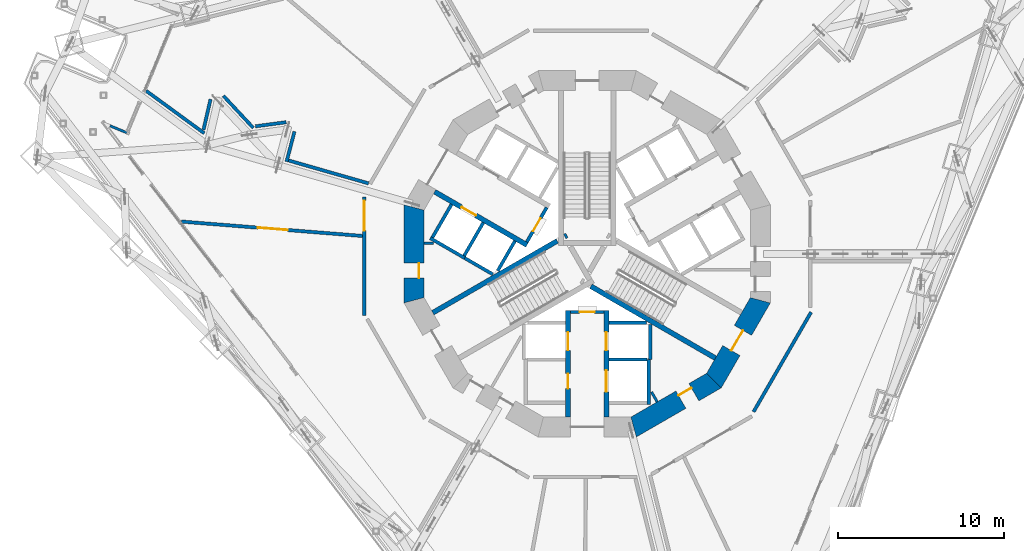
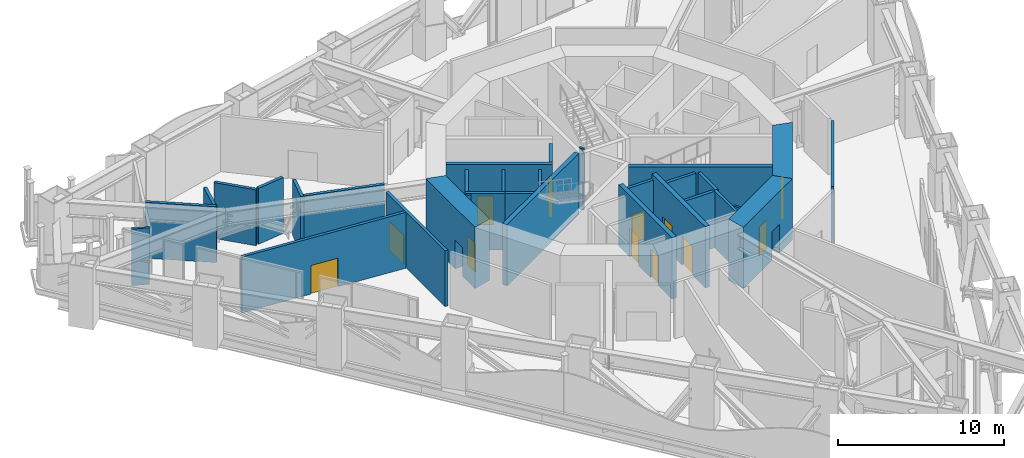
# One storey, part 18 of 31: 32 walls, 12 doors, 12 openings.
"""IFC4 building model written with IfcOpenShell, lengths in metres."""

from ifc_helpers import new_model, si_unit, direction, frame, frame_2d, origin, place, context, subcontext, project, spatial, polyline, rectangle, outline, extrude, material, layer, layer_set, type_object, element, fill, save


model = new_model("IFC4")

# Units and contexts
model_context = context("Model", 3, precision=1e-05, world=origin(), true_north=direction((0.0, 1.0)))
body_context = subcontext(model_context, "Body", "Model", "MODEL_VIEW")
ifc_project = project(units=[si_unit("LENGTHUNIT", "METRE"), si_unit("AREAUNIT", "SQUARE_METRE"), si_unit("VOLUMEUNIT", "CUBIC_METRE"), si_unit("PLANEANGLEUNIT", "RADIAN"), si_unit("MASSUNIT", "GRAM", prefix="KILO")], contexts=[model_context])

# Site, building, storey
site_placement = place(None, origin())
site = spatial("IfcSite", under=ifc_project, at=site_placement, CompositionType="ELEMENT")
building_placement = place(site_placement, origin())
building = spatial("IfcBuilding", under=site, at=building_placement, Name="Trine Commons Tower", CompositionType="ELEMENT")
storey_placement = place(building_placement, frame((0.0, 0.0, 82.800048828125)))
storey = spatial("IfcBuildingStorey", under=building, at=storey_placement, Name="L20", CompositionType="ELEMENT", Elevation=82.800048828125)

# Walls
ifc_material_1 = material(Name="Plasterboard partition on steel studs", Category="steel")
ifc_layer_1 = layer(ifc_material_1, 0.14990234375)
ifc_layer_set_1 = layer_set([ifc_layer_1], Name="Plasterboard partition on steel studs")
wall_type_1 = type_object("IfcWallType", Name="Core room partition 150 mm, EI 60", PredefinedType="PARTITIONING", material=ifc_layer_set_1)
wall_1_placement = place(storey_placement, frame((70.18798828125, 63.14208984375, 0.0), z_axis=(0.0, 0.0, 1.0), x_axis=(1.0, 0.0, 0.0)))
element("IfcWall", 1, at=wall_1_placement, inside=storey, type_object=wall_type_1, Name="Core room partition L20", PredefinedType="PARTITIONING", context=body_context, shape_type="SweptSolid", body=[
    extrude(rectangle(XDim=0.571044921875, YDim=0.14990234375, at=frame_2d((0.28564453125, 0.0))), origin(), (0.0, 0.0, 1.0), 4.14990234375),
])
wall_2_placement = place(storey_placement, frame((84.2099609375, 53.60205078125, 0.0), z_axis=(0.0, 0.0, 1.0), x_axis=(-0.500366091518, 0.865813937552, 0.0)))
element("IfcWall", 2, at=wall_2_placement, inside=storey, type_object=wall_type_1, Name="Core room partition L20", PredefinedType="PARTITIONING", context=body_context, shape_type="SweptSolid", body=[
    extrude(rectangle(XDim=0.689453125, YDim=0.14990234375, at=frame_2d((0.3447265625, 0.0))), origin(), (0.0, 0.0, 1.0), 4.14990234375),
])
ifc_material_2 = material(Name="Plasterboard on steel stud", Category="steel")
ifc_layer_2 = layer(ifc_material_2, 0.199951171875)
ifc_layer_set_2 = layer_set([ifc_layer_2], Name="Plasterboard on steel stud")
wall_type_2 = type_object("IfcWallType", Name="Fire wall 200 mm, EI 120", PredefinedType="PARTITIONING", material=ifc_layer_set_2)
wall_3_placement = place(storey_placement, frame((53.4814453125, 72.30322265625, 0.0), z_axis=(0.0, 0.0, 1.0), x_axis=(0.807438668691, -0.589951520298, 0.0)))
element("IfcWall", 3, at=wall_3_placement, inside=storey, type_object=wall_type_2, Name="Partition M20001", PredefinedType="PARTITIONING", context=body_context, shape_type="SweptSolid", body=[
    extrude(rectangle(XDim=4.327392578125, YDim=0.199951171875, at=frame_2d((2.16357421875, 0.0))), origin(), (0.0, 0.0, 1.0), 4.099853515625),
])

# Wall, opening, door
wall_4_placement = place(storey_placement, frame((55.597900390625, 64.44287109375, 0.0), z_axis=(0.0, 0.0, 1.0), x_axis=(0.996845427673, -0.079367457607, 0.0)))
wall_4 = element("IfcWall", 4, at=wall_4_placement, inside=storey, type_object=wall_type_2, Name="Partition M20003", PredefinedType="PARTITIONING", context=body_context, shape_type="SweptSolid", body=[
    extrude(rectangle(XDim=10.9169921875, YDim=0.199951171875, at=frame_2d((5.45849609375, 0.0))), origin(), (0.0, 0.0, 1.0), 4.099853515625),
])
opening_1_placement = place(wall_4_placement, frame((4.612548828125, 0.0, 0.0)))
opening_1 = element("IfcOpeningElement", 5, at=opening_1_placement, cuts=wall_4, Name="Opening D-M2001", PredefinedType="OPENING", context=body_context, shape_type="SweptSolid", body=[
    extrude(rectangle(XDim=1.800048828125, YDim=2.10009765625, at=frame_2d((0.89990234375, 1.050048828125))), frame((0.0, 0.10986328125, 0.0), z_axis=(0.0, -1.0, 0.0), x_axis=(1.0, 0.0, 0.0)), (0.0, 0.0, 1.0), 0.219970703125),
])
ifc_material_3 = material(Name="Timber fire door set", Category="wood")
door_type_1 = type_object("IfcDoorType", Name="Double swing door 1800x2100, FD60", OperationType="DOUBLE_DOOR_DOUBLE_SWING", PredefinedType="DOOR", material=ifc_material_3)
door_1_placement = place(opening_1_placement, origin())
door_1 = element("IfcDoor", 6, at=door_1_placement, inside=storey, type_object=door_type_1, Name="Door D-M2001", OperationType="DOUBLE_DOOR_DOUBLE_SWING", OverallHeight=2.10009765625, OverallWidth=1.800048828125, PredefinedType="DOOR", context=body_context, shape_type="SweptSolid", body=[
    extrude(rectangle(XDim=1.800048828125, YDim=2.10009765625, at=frame_2d((0.89990234375, 1.050048828125))), frame((0.0, 0.02490234375, 0.0), z_axis=(0.0, -1.0, 0.0), x_axis=(1.0, 0.0, 0.0)), (0.0, 0.0, 1.0), 0.050048828125),
])
fill(opening_1, door_1)

# Walls
wall_5_placement = place(storey_placement, frame((56.9287109375, 69.95703125, 0.0), z_axis=(0.0, 0.0, 1.0), x_axis=(0.224237196208, 0.974534596531, 0.0)))
element("IfcWall", 7, at=wall_5_placement, inside=storey, type_object=wall_type_2, Name="Partition M20004", PredefinedType="PARTITIONING", context=body_context, shape_type="SweptSolid", body=[
    extrude(rectangle(XDim=1.89111328125, YDim=0.199951171875, at=frame_2d((0.945556640625, 0.0))), origin(), (0.0, 0.0, 1.0), 4.099853515625),
])
wall_6_placement = place(storey_placement, frame((58.118896484375, 72.0078125, 0.0), z_axis=(0.0, 0.0, 1.0), x_axis=(0.682472446171, -0.730911321719, 0.0)))
element("IfcWall", 8, at=wall_6_placement, inside=storey, type_object=wall_type_2, Name="Partition M20005", PredefinedType="PARTITIONING", context=body_context, shape_type="SweptSolid", body=[
    extrude(rectangle(XDim=2.651123046875, YDim=0.199951171875, at=frame_2d((1.32568359375, 0.0))), origin(), (0.0, 0.0, 1.0), 4.099853515625),
])
wall_7_placement = place(storey_placement, frame((60.052001953125, 70.1689453125, 0.0), z_axis=(0.0, 0.0, 1.0), x_axis=(0.991147832733, 0.13276284747, 0.0)))
element("IfcWall", 9, at=wall_7_placement, inside=storey, type_object=wall_type_2, Name="Partition M20006", PredefinedType="PARTITIONING", context=body_context, shape_type="SweptSolid", body=[
    extrude(rectangle(XDim=1.868408203125, YDim=0.199951171875, at=frame_2d((0.93408203125, 0.0))), origin(), (0.0, 0.0, 1.0), 4.099853515625),
])
wall_8_placement = place(storey_placement, frame((61.92333984375, 68.047607421875, 0.0), z_axis=(0.0, 0.0, 1.0), x_axis=(0.254281259099, 0.967130312456, 0.0)))
element("IfcWall", 10, at=wall_8_placement, inside=storey, type_object=wall_type_2, Name="Partition M20008", PredefinedType="PARTITIONING", context=body_context, shape_type="SweptSolid", body=[
    extrude(rectangle(XDim=1.870361328125, YDim=0.199951171875, at=frame_2d((0.93505859375, 0.0))), origin(), (0.0, 0.0, 1.0), 4.099853515625),
])
wall_9_placement = place(storey_placement, frame((62.046875, 68.115966796875, 0.0), z_axis=(0.0, 0.0, 1.0), x_axis=(0.961267337315, -0.275617681239, 0.0)))
element("IfcWall", 11, at=wall_9_placement, inside=storey, type_object=wall_type_2, Name="Partition M20009", PredefinedType="PARTITIONING", context=body_context, shape_type="SweptSolid", body=[
    extrude(rectangle(XDim=4.99853515625, YDim=0.199951171875, at=frame_2d((2.499267578125, 0.0))), origin(), (0.0, 0.0, 1.0), 4.099853515625),
])

# Wall, opening, door
wall_10_placement = place(storey_placement, frame((66.58837890625, 65.9296875, 0.0), z_axis=(0.0, 0.0, 1.0), x_axis=(0.0, -1.0, 0.0)))
wall_10 = element("IfcWall", 12, at=wall_10_placement, inside=storey, type_object=wall_type_2, Name="Partition M20010", PredefinedType="PARTITIONING", context=body_context, shape_type="SweptSolid", body=[
    extrude(rectangle(XDim=7.123291015625, YDim=0.199951171875, at=frame_2d((3.5615234375, 0.0))), origin(), (0.0, 0.0, 1.0), 4.099853515625),
])
opening_2_placement = place(wall_10_placement, frame((0.228759765625, 0.0, 0.0)))
opening_2 = element("IfcOpeningElement", 13, at=opening_2_placement, cuts=wall_10, Name="Opening D-M2003", PredefinedType="OPENING", context=body_context, shape_type="SweptSolid", body=[
    extrude(rectangle(XDim=1.800048828125, YDim=2.10009765625, at=frame_2d((0.89990234375, 1.050048828125))), frame((0.0, 0.10986328125, 0.0), z_axis=(0.0, -1.0, 0.0), x_axis=(1.0, 0.0, 0.0)), (0.0, 0.0, 1.0), 0.219970703125),
])
door_2_placement = place(opening_2_placement, origin())
door_2 = element("IfcDoor", 14, at=door_2_placement, inside=storey, type_object=door_type_1, Name="Door D-M2003", OperationType="DOUBLE_DOOR_DOUBLE_SWING", OverallHeight=2.10009765625, OverallWidth=1.800048828125, PredefinedType="DOOR", context=body_context, shape_type="SweptSolid", body=[
    extrude(rectangle(XDim=1.800048828125, YDim=2.10009765625, at=frame_2d((0.89990234375, 1.050048828125))), frame((0.0, 0.02490234375, 0.0), z_axis=(0.0, -1.0, 0.0), x_axis=(1.0, 0.0, 0.0)), (0.0, 0.0, 1.0), 0.050048828125),
])
fill(opening_2, door_2)

# Walls
wall_11_placement = place(storey_placement, frame((90.004638671875, 53.00537109375, 0.0), z_axis=(0.0, 0.0, 1.0), x_axis=(0.500012835235, 0.866017993231, 0.0)))
element("IfcWall", 15, at=wall_11_placement, inside=storey, type_object=wall_type_2, Name="Partition M20039", PredefinedType="PARTITIONING", context=body_context, shape_type="SweptSolid", body=[
    extrude(rectangle(XDim=6.913818359375, YDim=0.199951171875, at=frame_2d((3.45703125, 0.0))), origin(), (0.0, 0.0, 1.0), 4.099853515625),
])
ifc_material_4 = material(Name="Aluminium-framed insulated wall panel", Category="aluminium")
ifc_layer_3 = layer(ifc_material_4, 0.14990234375)
ifc_layer_set_3 = layer_set([ifc_layer_3], Name="Aluminium-framed insulated wall panel")
wall_type_3 = type_object("IfcWallType", Name="Glazed frame wall 150, EI 60", PredefinedType="SOLIDWALL", material=ifc_layer_set_3)
wall_12_placement = place(storey_placement, frame((51.175537109375, 70.256103515625, 0.0), z_axis=(0.0, 0.0, 1.0), x_axis=(0.923901801611, -0.382629665579, 0.0)))
element("IfcWall", 16, at=wall_12_placement, inside=storey, type_object=wall_type_3, Name="Glazed frame wall L20 R1", PredefinedType="SOLIDWALL", context=body_context, shape_type="SweptSolid", body=[
    extrude(outline(polyline([(0.1494140625, 0.074951171875), (0.1494140625, -0.074951171875), (1.235107421875, -0.074951171875), (1.235107421875, 0.074951171875), (0.1494140625, 0.074951171875)])), origin(), (0.0, 0.0, 1.0), 4.14990234375),
])

# Wall, opening, door
ifc_material_5 = material(Name="Fire-rated gypsum shaft wall system")
ifc_layer_4 = layer(ifc_material_5, 0.199951171875)
ifc_layer_set_4 = layer_set([ifc_layer_4], Name="Fire-rated gypsum shaft wall system")
wall_type_4 = type_object("IfcWallType", Name="Lobby end wall 200 mm, EI 120", PredefinedType="PARTITIONING", material=ifc_layer_set_4)
wall_13_placement = place(storey_placement, frame((77.569091796875, 65.2890625, 0.0), z_axis=(0.0, 0.0, 1.0), x_axis=(-0.50012165622, -0.865955154139, 0.0)))
wall_13 = element("IfcWall", 17, at=wall_13_placement, inside=storey, type_object=wall_type_4, Name="Lobby end wall L20", PredefinedType="PARTITIONING", context=body_context, shape_type="SweptSolid", body=[
    extrude(rectangle(XDim=2.39990234375, YDim=0.199951171875, at=frame_2d((1.199951171875, 0.0))), origin(), (0.0, 0.0, 1.0), 4.14990234375),
])
opening_3_placement = place(wall_13_placement, frame((0.749755859375, 0.0, 0.0)))
opening_3 = element("IfcOpeningElement", 18, at=opening_3_placement, cuts=wall_13, Name="Opening K08.07", PredefinedType="OPENING", context=body_context, shape_type="SweptSolid", body=[
    extrude(rectangle(XDim=0.89990234375, YDim=2.10009765625, at=frame_2d((0.449951171875, 1.050048828125))), frame((0.0, 0.10986328125, 0.0), z_axis=(0.0, -1.0, 0.0), x_axis=(1.0, 0.0, 0.0)), (0.0, 0.0, 1.0), 0.219970703125),
])
ifc_material_6 = material(Name="Steel door leaf, fire-rated", Category="steel")
door_type_2 = type_object("IfcDoorType", Name="Riser access door, single leaf 900 x 2100, FD60", OperationType="SINGLE_SWING_LEFT", PredefinedType="DOOR", material=ifc_material_6)
door_3_placement = place(opening_3_placement, frame((0.89990234375, 0.0, 0.0), z_axis=(0.0, 0.0, 1.0), x_axis=(-1.0, 0.0, 0.0)))
door_3 = element("IfcDoor", 19, at=door_3_placement, inside=storey, type_object=door_type_2, Name="Riser door, Mechanical riser L20", OperationType="SINGLE_SWING_RIGHT", OverallHeight=2.10009765625, OverallWidth=0.89990234375, PredefinedType="DOOR", context=body_context, shape_type="SweptSolid", body=[
    extrude(rectangle(XDim=0.89990234375, YDim=2.10009765625, at=frame_2d((0.449951171875, 1.050048828125))), frame((0.0, 0.02490234375, 0.0), z_axis=(0.0, -1.0, 0.0), x_axis=(1.0, 0.0, 0.0)), (0.0, 0.0, 1.0), 0.050048828125),
])
fill(opening_3, door_3)

wall_14_placement = place(storey_placement, frame((79.0, 59.0, 0.0), z_axis=(0.0, 0.0, 1.0), x_axis=(1.0, 0.0, 0.0)))
wall_14 = element("IfcWall", 20, at=wall_14_placement, inside=storey, type_object=wall_type_4, Name="Lobby end wall L20", PredefinedType="PARTITIONING", context=body_context, shape_type="SweptSolid", body=[
    extrude(rectangle(XDim=2.0, YDim=0.199951171875, at=frame_2d((1.0, 0.0))), origin(), (0.0, 0.0, 1.0), 4.14990234375),
])
opening_4_placement = place(wall_14_placement, frame((0.550048828125, 0.0, 0.0)))
opening_4 = element("IfcOpeningElement", 21, at=opening_4_placement, cuts=wall_14, Name="Opening K08.09", PredefinedType="OPENING", context=body_context, shape_type="SweptSolid", body=[
    extrude(rectangle(XDim=0.89990234375, YDim=2.10009765625, at=frame_2d((0.449951171875, 1.050048828125))), frame((0.0, 0.10986328125, 0.0), z_axis=(0.0, -1.0, 0.0), x_axis=(1.0, 0.0, 0.0)), (0.0, 0.0, 1.0), 0.219970703125),
])
door_4_placement = place(opening_4_placement, frame((0.89990234375, 0.0, 0.0), z_axis=(0.0, 0.0, 1.0), x_axis=(-1.0, 0.0, 0.0)))
door_4 = element("IfcDoor", 22, at=door_4_placement, inside=storey, type_object=door_type_2, Name="Riser door, Communications riser L20", OperationType="SINGLE_SWING_RIGHT", OverallHeight=2.10009765625, OverallWidth=0.89990234375, PredefinedType="DOOR", context=body_context, shape_type="SweptSolid", body=[
    extrude(rectangle(XDim=0.89990234375, YDim=2.10009765625, at=frame_2d((0.449951171875, 1.050048828125))), frame((0.0, 0.02490234375, 0.0), z_axis=(0.0, -1.0, 0.0), x_axis=(1.0, 0.0, 0.0)), (0.0, 0.0, 1.0), 0.050048828125),
])
fill(opening_4, door_4)

ifc_material_7 = material(Name="Concrete C70/85", Category="concrete")
ifc_layer_5 = layer(ifc_material_7, 1.199951171875)
ifc_layer_set_5 = layer_set([ifc_layer_5], Name="Concrete C70/85")
wall_type_5 = type_object("IfcWallType", Name="RC shear wall 1200 mm, C70/85", PredefinedType="SHEAR", material=ifc_layer_set_5)
wall_15_placement = place(storey_placement, frame((69.58837890625, 65.450439453125, 0.0), z_axis=(0.0, 0.0, 1.0), x_axis=(0.0, -1.0, 0.0)))
wall_15 = element("IfcWall", 23, at=wall_15_placement, inside=storey, type_object=wall_type_5, Name="Core wall CWC-07 L20", PredefinedType="SHEAR", context=body_context, shape_type="SweptSolid", body=[
    extrude(outline(polyline([(0.0, -0.60009765625), (5.90087890625, -0.60009765625), (5.57958984375, 0.60009765625), (0.321533203125, 0.60009765625), (0.0, -0.60009765625)])), origin(), (0.0, 0.0, 1.0), 4.5),
])
opening_5_placement = place(wall_15_placement, frame((3.508544921875, 0.0, 0.0)))
opening_5 = element("IfcOpeningElement", 24, at=opening_5_placement, cuts=wall_15, Name="Opening K08.14", PredefinedType="OPENING", context=body_context, shape_type="SweptSolid", body=[
    extrude(rectangle(XDim=0.89990234375, YDim=2.10009765625, at=frame_2d((0.449951171875, 1.050048828125))), frame((0.0, 0.60986328125, 0.0), z_axis=(0.0, -1.0, 0.0), x_axis=(1.0, 0.0, 0.0)), (0.0, 0.0, 1.0), 1.219970703125),
])
door_type_3 = type_object("IfcDoorType", Name="Core room door, single leaf 900 x 2100, FD30S", OperationType="SINGLE_SWING_LEFT", PredefinedType="DOOR", material=ifc_material_6)
door_5_placement = place(opening_5_placement, origin())
door_5 = element("IfcDoor", 25, at=door_5_placement, inside=storey, type_object=door_type_3, Name="Door to Electrical room L20", OperationType="SINGLE_SWING_RIGHT", OverallHeight=2.10009765625, OverallWidth=0.89990234375, PredefinedType="DOOR", context=body_context, shape_type="SweptSolid", body=[
    extrude(rectangle(XDim=0.89990234375, YDim=2.10009765625, at=frame_2d((0.449951171875, 1.050048828125))), frame((0.0, 0.3251953125, 0.0), z_axis=(0.0, -1.0, 0.0), x_axis=(1.0, 0.0, 0.0)), (0.0, 0.0, 1.0), 0.050048828125),
])
fill(opening_5, door_5)

wall_16_placement = place(storey_placement, frame((82.650390625, 52.008056640625, 0.0), z_axis=(0.0, 0.0, 1.0), x_axis=(0.866037463336, 0.499979111662, 0.0)))
wall_16 = element("IfcWall", 26, at=wall_16_placement, inside=storey, type_object=wall_type_5, Name="Core wall CWC-11 L20", PredefinedType="SHEAR", context=body_context, shape_type="SweptSolid", body=[
    extrude(outline(polyline([(0.0, -0.60009765625), (5.901123046875, -0.60009765625), (5.57958984375, 0.60009765625), (0.321533203125, 0.60009765625), (0.0, -0.60009765625)])), origin(), (0.0, 0.0, 1.0), 4.5),
])
opening_6_placement = place(wall_16_placement, frame((3.44677734375, 0.0, 0.0)))
opening_6 = element("IfcOpeningElement", 27, at=opening_6_placement, cuts=wall_16, Name="Opening K08.17", PredefinedType="OPENING", context=body_context, shape_type="SweptSolid", body=[
    extrude(rectangle(XDim=0.89990234375, YDim=2.10009765625, at=frame_2d((0.449951171875, 1.050048828125))), frame((0.0, 0.60986328125, 0.0), z_axis=(0.0, -1.0, 0.0), x_axis=(1.0, 0.0, 0.0)), (0.0, 0.0, 1.0), 1.219970703125),
])
door_6_placement = place(opening_6_placement, origin())
door_6 = element("IfcDoor", 28, at=door_6_placement, inside=storey, type_object=door_type_3, Name="Door to Plant room L20", OperationType="SINGLE_SWING_RIGHT", OverallHeight=2.10009765625, OverallWidth=0.89990234375, PredefinedType="DOOR", context=body_context, shape_type="SweptSolid", body=[
    extrude(rectangle(XDim=0.89990234375, YDim=2.10009765625, at=frame_2d((0.449951171875, 1.050048828125))), frame((0.0, 0.3251953125, 0.0), z_axis=(0.0, -1.0, 0.0), x_axis=(1.0, 0.0, 0.0)), (0.0, 0.0, 1.0), 0.050048828125),
])
fill(opening_6, door_6)

wall_17_placement = place(storey_placement, frame((87.54150390625, 54.739013671875, 0.0), z_axis=(0.0, 0.0, 1.0), x_axis=(0.499979111662, 0.866037463336, 0.0)))
wall_17 = element("IfcWall", 29, at=wall_17_placement, inside=storey, type_object=wall_type_5, Name="Core wall CWC-12 L20", PredefinedType="SHEAR", context=body_context, shape_type="SweptSolid", body=[
    extrude(outline(polyline([(0.0, -0.60009765625), (5.901123046875, -0.60009765625), (5.57958984375, 0.60009765625), (0.321533203125, 0.60009765625), (0.0, -0.60009765625)])), origin(), (0.0, 0.0, 1.0), 4.5),
])
opening_7_placement = place(wall_17_placement, frame((2.25048828125, 0.0, 0.0)))
opening_7 = element("IfcOpeningElement", 30, at=opening_7_placement, cuts=wall_17, Name="Opening K08.03", PredefinedType="OPENING", context=body_context, shape_type="SweptSolid", body=[
    extrude(rectangle(XDim=1.39990234375, YDim=2.10009765625, at=frame_2d((0.699951171875, 1.050048828125))), frame((0.0, 0.60986328125, 0.0), z_axis=(0.0, -1.0, 0.0), x_axis=(1.0, 0.0, 0.0)), (0.0, 0.0, 1.0), 1.219970703125),
])
ifc_material_8 = material(Name="Steel door leaves, fire-rated", Category="steel")
door_type_4 = type_object("IfcDoorType", Name="Stair door, double leaf 1400 x 2100, FD90", OperationType="DOUBLE_DOOR_SINGLE_SWING", PredefinedType="DOOR", material=ifc_material_8)
door_7_placement = place(opening_7_placement, origin())
door_7 = element("IfcDoor", 31, at=door_7_placement, inside=storey, type_object=door_type_4, Name="Stair door to Exit stair ST3A L20", OperationType="DOUBLE_DOOR_SINGLE_SWING", OverallHeight=2.10009765625, OverallWidth=1.39990234375, PredefinedType="DOOR", context=body_context, shape_type="SweptSolid", body=[
    extrude(rectangle(XDim=1.39990234375, YDim=2.10009765625, at=frame_2d((0.699951171875, 1.050048828125))), frame((0.0, 0.02490234375, 0.0), z_axis=(0.0, -1.0, 0.0), x_axis=(1.0, 0.0, 0.0)), (0.0, 0.0, 1.0), 0.050048828125),
])
fill(opening_7, door_7)

ifc_layer_6 = layer(ifc_material_7, 0.300048828125)
ifc_layer_set_6 = layer_set([ifc_layer_6], Name="Concrete C70/85")
wall_type_6 = type_object("IfcWallType", Name="RC shear wall 300 mm, C70/85", PredefinedType="SHEAR", material=ifc_layer_set_6)
wall_18_placement = place(storey_placement, frame((76.381103515625, 63.031005859375, 0.0), z_axis=(0.0, 0.0, 1.0), x_axis=(-0.866032150378, 0.499988314375, 0.0)))
wall_18 = element("IfcWall", 32, at=wall_18_placement, inside=storey, type_object=wall_type_6, Name="Core cross wall SWA-01 L20", PredefinedType="SHEAR", context=body_context, shape_type="SweptSolid", body=[
    extrude(rectangle(XDim=6.412353515625, YDim=0.300048828125, at=frame_2d((3.2060546875, 0.0))), origin(), (0.0, 0.0, 1.0), 4.5),
])
opening_8_placement = place(wall_18_placement, frame((3.55029296875, 0.0, 0.0)))
opening_8 = element("IfcOpeningElement", 33, at=opening_8_placement, cuts=wall_18, Name="Opening LD3", PredefinedType="OPENING", context=body_context, shape_type="SweptSolid", body=[
    extrude(rectangle(XDim=1.0, YDim=2.10009765625, at=frame_2d((0.5, 1.050048828125))), frame((0.0, 0.159912109375, 0.0), z_axis=(0.0, -1.0, 0.0), x_axis=(1.0, 0.0, 0.0)), (0.0, 0.0, 1.0), 0.320068359375),
])
ifc_material_9 = material(Name="Stainless steel sliding door leaves", Category="steel")
door_type_5 = type_object("IfcDoorType", Name="Lift landing door, centre-opening sliding 1000 x 2100, FD90", OperationType="DOUBLE_DOOR_SLIDING", PredefinedType="DOOR", material=ifc_material_9)
door_8_placement = place(opening_8_placement, origin())
door_8 = element("IfcDoor", 34, at=door_8_placement, inside=storey, type_object=door_type_5, Name="Lift landing door LR3 L20", OperationType="DOUBLE_DOOR_SLIDING", OverallHeight=2.10009765625, OverallWidth=1.0, PredefinedType="DOOR", context=body_context, shape_type="SweptSolid", body=[
    extrude(rectangle(XDim=1.0, YDim=2.10009765625, at=frame_2d((0.5, 1.050048828125))), frame((0.0, 0.02490234375, 0.0), z_axis=(0.0, -1.0, 0.0), x_axis=(1.0, 0.0, 0.0)), (0.0, 0.0, 1.0), 0.050048828125),
])
fill(opening_8, door_8)

# Wall, openings, doors
wall_19_placement = place(storey_placement, frame((78.85009765625, 59.10009765625, 0.0), z_axis=(0.0, 0.0, 1.0), x_axis=(0.0, -1.0, 0.0)))
wall_19 = element("IfcWall", 35, at=wall_19_placement, inside=storey, type_object=wall_type_6, Name="Core cross wall SWA-03 L20", PredefinedType="SHEAR", context=body_context, shape_type="SweptSolid", body=[
    extrude(rectangle(XDim=6.412109375, YDim=0.300048828125, at=frame_2d((3.2060546875, 0.0))), origin(), (0.0, 0.0, 1.0), 4.5),
])
opening_9_placement = place(wall_19_placement, frame((3.800048828125, 0.0, 0.0)))
opening_9 = element("IfcOpeningElement", 36, at=opening_9_placement, cuts=wall_19, Name="Opening K08.10", PredefinedType="OPENING", context=body_context, shape_type="SweptSolid", body=[
    extrude(rectangle(XDim=0.89990234375, YDim=2.10009765625, at=frame_2d((0.449951171875, 1.050048828125))), frame((0.0, 0.159912109375, 0.0), z_axis=(0.0, -1.0, 0.0), x_axis=(1.0, 0.0, 0.0)), (0.0, 0.0, 1.0), 0.320068359375),
])
opening_10_placement = place(wall_19_placement, frame((1.300048828125, 0.0, 0.0)))
opening_10 = element("IfcOpeningElement", 37, at=opening_10_placement, cuts=wall_19, Name="Opening LD10", PredefinedType="OPENING", context=body_context, shape_type="SweptSolid", body=[
    extrude(rectangle(XDim=1.10009765625, YDim=2.10009765625, at=frame_2d((0.550048828125, 1.050048828125))), frame((0.0, 0.159912109375, 0.0), z_axis=(0.0, -1.0, 0.0), x_axis=(1.0, 0.0, 0.0)), (0.0, 0.0, 1.0), 0.320068359375),
])
door_9_placement = place(opening_9_placement, frame((0.89990234375, 0.0, 0.0), z_axis=(0.0, 0.0, 1.0), x_axis=(-1.0, 0.0, 0.0)))
door_9 = element("IfcDoor", 38, at=door_9_placement, inside=storey, type_object=door_type_3, Name="Door to Store L20", OperationType="SINGLE_SWING_RIGHT", OverallHeight=2.10009765625, OverallWidth=0.89990234375, PredefinedType="DOOR", context=body_context, shape_type="SweptSolid", body=[
    extrude(rectangle(XDim=0.89990234375, YDim=2.10009765625, at=frame_2d((0.449951171875, 1.050048828125))), frame((0.0, 0.02490234375, 0.0), z_axis=(0.0, -1.0, 0.0), x_axis=(1.0, 0.0, 0.0)), (0.0, 0.0, 1.0), 0.050048828125),
])
fill(opening_9, door_9)
door_type_6 = type_object("IfcDoorType", Name="Lift landing door, centre-opening sliding 1100 x 2100, FD90", OperationType="DOUBLE_DOOR_SLIDING", PredefinedType="DOOR", material=ifc_material_9)
door_10_placement = place(opening_10_placement, origin())
door_10 = element("IfcDoor", 39, at=door_10_placement, inside=storey, type_object=door_type_6, Name="Lift landing door FF2 L20", OperationType="DOUBLE_DOOR_SLIDING", OverallHeight=2.10009765625, OverallWidth=1.10009765625, PredefinedType="DOOR", context=body_context, shape_type="SweptSolid", body=[
    extrude(rectangle(XDim=1.10009765625, YDim=2.10009765625, at=frame_2d((0.550048828125, 1.050048828125))), frame((0.0, 0.02490234375, 0.0), z_axis=(0.0, -1.0, 0.0), x_axis=(1.0, 0.0, 0.0)), (0.0, 0.0, 1.0), 0.050048828125),
])
fill(opening_10, door_10)

wall_20_placement = place(storey_placement, frame((81.14990234375, 59.10009765625, 0.0), z_axis=(0.0, 0.0, 1.0), x_axis=(0.0, -1.0, 0.0)))
wall_20 = element("IfcWall", 40, at=wall_20_placement, inside=storey, type_object=wall_type_6, Name="Core cross wall SWA-04 L20", PredefinedType="SHEAR", context=body_context, shape_type="SweptSolid", body=[
    extrude(rectangle(XDim=6.412109375, YDim=0.300048828125, at=frame_2d((3.2060546875, 0.0))), origin(), (0.0, 0.0, 1.0), 4.5),
])
opening_11_placement = place(wall_20_placement, frame((3.60009765625, 0.0, 0.0)))
opening_11 = element("IfcOpeningElement", 41, at=opening_11_placement, cuts=wall_20, Name="Opening LD11", PredefinedType="OPENING", context=body_context, shape_type="SweptSolid", body=[
    extrude(rectangle(XDim=1.300048828125, YDim=2.10009765625, at=frame_2d((0.64990234375, 1.050048828125))), frame((0.0, 0.159912109375, 0.0), z_axis=(0.0, -1.0, 0.0), x_axis=(1.0, 0.0, 0.0)), (0.0, 0.0, 1.0), 0.320068359375),
])
opening_12_placement = place(wall_20_placement, frame((1.300048828125, 0.0, 0.0)))
opening_12 = element("IfcOpeningElement", 42, at=opening_12_placement, cuts=wall_20, Name="Opening LD9", PredefinedType="OPENING", context=body_context, shape_type="SweptSolid", body=[
    extrude(rectangle(XDim=1.10009765625, YDim=2.10009765625, at=frame_2d((0.550048828125, 1.050048828125))), frame((0.0, 0.159912109375, 0.0), z_axis=(0.0, -1.0, 0.0), x_axis=(1.0, 0.0, 0.0)), (0.0, 0.0, 1.0), 0.320068359375),
])
door_11_placement = place(opening_12_placement, origin())
door_11 = element("IfcDoor", 43, at=door_11_placement, inside=storey, type_object=door_type_6, Name="Lift landing door FF1 L20", OperationType="DOUBLE_DOOR_SLIDING", OverallHeight=2.10009765625, OverallWidth=1.10009765625, PredefinedType="DOOR", context=body_context, shape_type="SweptSolid", body=[
    extrude(rectangle(XDim=1.10009765625, YDim=2.10009765625, at=frame_2d((0.550048828125, 1.050048828125))), frame((0.0, 0.02490234375, 0.0), z_axis=(0.0, -1.0, 0.0), x_axis=(1.0, 0.0, 0.0)), (0.0, 0.0, 1.0), 0.050048828125),
])
fill(opening_12, door_11)
door_type_7 = type_object("IfcDoorType", Name="Lift landing door, centre-opening sliding 1300 x 2100, FD90", OperationType="DOUBLE_DOOR_SLIDING", PredefinedType="DOOR", material=ifc_material_9)
door_12_placement = place(opening_11_placement, origin())
door_12 = element("IfcDoor", 44, at=door_12_placement, inside=storey, type_object=door_type_7, Name="Lift landing door G1 L20", OperationType="DOUBLE_DOOR_SLIDING", OverallHeight=2.10009765625, OverallWidth=1.300048828125, PredefinedType="DOOR", context=body_context, shape_type="SweptSolid", body=[
    extrude(rectangle(XDim=1.300048828125, YDim=2.10009765625, at=frame_2d((0.64990234375, 1.050048828125))), frame((0.0, 0.02490234375, 0.0), z_axis=(0.0, -1.0, 0.0), x_axis=(1.0, 0.0, 0.0)), (0.0, 0.0, 1.0), 0.050048828125),
])
fill(opening_11, door_12)

# Walls
wall_21_placement = place(storey_placement, frame((78.199951171875, 63.280029296875, 0.0), z_axis=(0.0, 0.0, 1.0), x_axis=(-0.865965399159, -0.500103916661, 0.0)))
element("IfcWall", 45, at=wall_21_placement, inside=storey, type_object=wall_type_6, Name="Core cross wall SWA-07 L20", PredefinedType="SHEAR", context=body_context, shape_type="SweptSolid", body=[
    extrude(rectangle(XDim=8.642333984375, YDim=0.300048828125, at=frame_2d((4.3212890625, 0.0))), origin(), (0.0, 0.0, 1.0), 4.5),
])
wall_22_placement = place(storey_placement, frame((78.779052734375, 63.614013671875, 0.0), z_axis=(0.0, 0.0, 1.0), x_axis=(-0.867737973955, -0.497021939713, 0.0)))
element("IfcWall", 46, at=wall_22_placement, inside=storey, type_object=wall_type_6, Name="Core cross wall SWA-09 L20", PredefinedType="SHEAR", context=body_context, shape_type="SweptSolid", body=[
    extrude(rectangle(XDim=0.14892578125, YDim=0.300048828125, at=frame_2d((0.074462890625, 0.0))), origin(), (0.0, 0.0, 1.0), 4.5),
])
wall_23_placement = place(storey_placement, frame((80.22509765625, 60.552001953125, 0.0), z_axis=(0.0, 0.0, 1.0), x_axis=(0.865965399159, -0.500103916661, 0.0)))
element("IfcWall", 47, at=wall_23_placement, inside=storey, type_object=wall_type_6, Name="Core cross wall SWA-13 L20", PredefinedType="SHEAR", context=body_context, shape_type="SweptSolid", body=[
    extrude(rectangle(XDim=8.642333984375, YDim=0.300048828125, at=frame_2d((4.3212890625, 0.0))), origin(), (0.0, 0.0, 1.0), 4.5),
])
ifc_layer_7 = layer(ifc_material_5, 0.199951171875)
ifc_layer_set_7 = layer_set([ifc_layer_7], Name="Fire-rated gypsum shaft wall system")
wall_type_7 = type_object("IfcWallType", Name="Shaft wall 200 mm, EI 120", PredefinedType="PARTITIONING", material=ifc_layer_set_7)
wall_24_placement = place(storey_placement, frame((71.844970703125, 65.47607421875, 0.0), z_axis=(0.0, 0.0, 1.0), x_axis=(-0.500136062276, -0.86594683394, 0.0)))
element("IfcWall", 48, at=wall_24_placement, inside=storey, type_object=wall_type_7, Name="Shaft wall L20", PredefinedType="PARTITIONING", context=body_context, shape_type="SweptSolid", body=[
    extrude(rectangle(XDim=2.299072265625, YDim=0.199951171875, at=frame_2d((1.1494140625, 0.0))), origin(), (0.0, 0.0, 1.0), 4.14990234375),
])
wall_25_placement = place(storey_placement, frame((72.637939453125, 62.248046875, 0.0), z_axis=(0.0, 0.0, 1.0), x_axis=(-0.866177122335, 0.499737123639, 0.0)))
element("IfcWall", 49, at=wall_25_placement, inside=storey, type_object=wall_type_7, Name="Shaft wall L20", PredefinedType="PARTITIONING", context=body_context, shape_type="SweptSolid", body=[
    extrude(rectangle(XDim=2.401123046875, YDim=0.199951171875, at=frame_2d((1.20068359375, 0.0))), origin(), (0.0, 0.0, 1.0), 4.14990234375),
])
wall_26_placement = place(storey_placement, frame((73.7509765625, 64.3759765625, 0.0), z_axis=(0.0, 0.0, 1.0), x_axis=(-0.500136062276, -0.86594683394, 0.0)))
element("IfcWall", 50, at=wall_26_placement, inside=storey, type_object=wall_type_7, Name="Shaft wall L20", PredefinedType="PARTITIONING", context=body_context, shape_type="SweptSolid", body=[
    extrude(rectangle(XDim=2.299072265625, YDim=0.199951171875, at=frame_2d((1.1494140625, 0.0))), origin(), (0.0, 0.0, 1.0), 4.14990234375),
])
wall_27_placement = place(storey_placement, frame((74.324951171875, 61.27294921875, 0.0), z_axis=(0.0, 0.0, 1.0), x_axis=(-0.865780634835, 0.500423712812, 0.0)))
element("IfcWall", 51, at=wall_27_placement, inside=storey, type_object=wall_type_7, Name="Shaft wall L20", PredefinedType="PARTITIONING", context=body_context, shape_type="SweptSolid", body=[
    extrude(rectangle(XDim=1.948486328125, YDim=0.199951171875, at=frame_2d((0.97412109375, 0.0))), origin(), (0.0, 0.0, 1.0), 4.14990234375),
])
wall_28_placement = place(storey_placement, frame((75.656005859375, 63.27587890625, 0.0), z_axis=(0.0, 0.0, 1.0), x_axis=(-0.500271688072, -0.86586848777, 0.0)))
element("IfcWall", 52, at=wall_28_placement, inside=storey, type_object=wall_type_7, Name="Shaft wall L20", PredefinedType="PARTITIONING", context=body_context, shape_type="SweptSolid", body=[
    extrude(rectangle(XDim=2.064697265625, YDim=0.199951171875, at=frame_2d((1.0322265625, 0.0))), origin(), (0.0, 0.0, 1.0), 4.14990234375),
])
wall_29_placement = place(storey_placement, frame((81.300048828125, 56.14990234375, 0.0), z_axis=(0.0, 0.0, 1.0), x_axis=(1.0, 0.0, 0.0)))
element("IfcWall", 53, at=wall_29_placement, inside=storey, type_object=wall_type_7, Name="Shaft wall L20", PredefinedType="PARTITIONING", context=body_context, shape_type="SweptSolid", body=[
    extrude(rectangle(XDim=2.300048828125, YDim=0.199951171875, at=frame_2d((1.14990234375, 0.0))), origin(), (0.0, 0.0, 1.0), 4.14990234375),
])
wall_30_placement = place(storey_placement, frame((81.300048828125, 58.35009765625, 0.0), z_axis=(0.0, 0.0, 1.0), x_axis=(1.0, 0.0, 0.0)))
element("IfcWall", 54, at=wall_30_placement, inside=storey, type_object=wall_type_7, Name="Shaft wall L20", PredefinedType="PARTITIONING", context=body_context, shape_type="SweptSolid", body=[
    extrude(rectangle(XDim=2.264892578125, YDim=0.199951171875, at=frame_2d((1.13232421875, 0.0))), origin(), (0.0, 0.0, 1.0), 4.14990234375),
])
wall_31_placement = place(storey_placement, frame((83.699951171875, 56.14990234375, 0.0), z_axis=(0.0, 0.0, 1.0), x_axis=(0.0, -1.0, 0.0)))
element("IfcWall", 55, at=wall_31_placement, inside=storey, type_object=wall_type_7, Name="Shaft wall L20", PredefinedType="PARTITIONING", context=body_context, shape_type="SweptSolid", body=[
    extrude(rectangle(XDim=2.699951171875, YDim=0.199951171875, at=frame_2d((1.35009765625, 0.0))), origin(), (0.0, 0.0, 1.0), 4.14990234375),
])
wall_32_placement = place(storey_placement, frame((83.800048828125, 58.256103515625, 0.0), z_axis=(0.0, 0.0, 1.0), x_axis=(0.0, -1.0, 0.0)))
element("IfcWall", 56, at=wall_32_placement, inside=storey, type_object=wall_type_7, Name="Shaft wall L20", PredefinedType="PARTITIONING", context=body_context, shape_type="SweptSolid", body=[
    extrude(rectangle(XDim=2.106201171875, YDim=0.199951171875, at=frame_2d((1.05322265625, 0.0))), origin(), (0.0, 0.0, 1.0), 4.14990234375),
])

save(model, "model.ifc")
